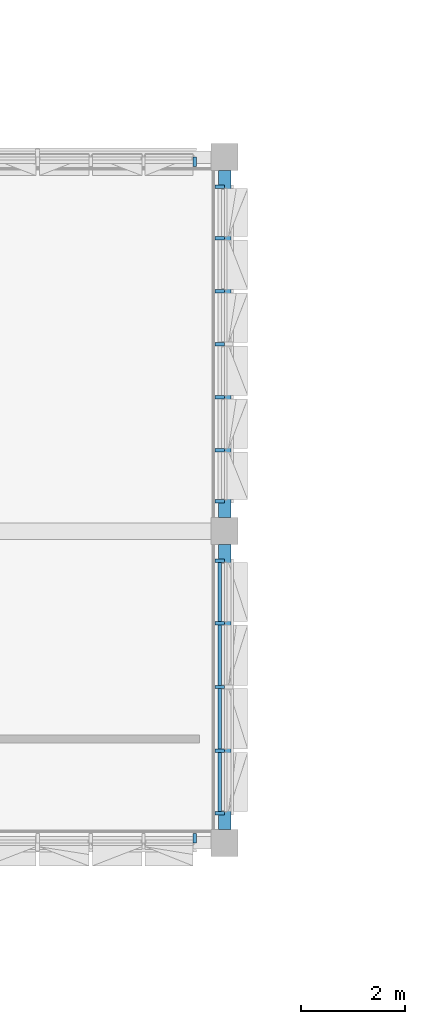
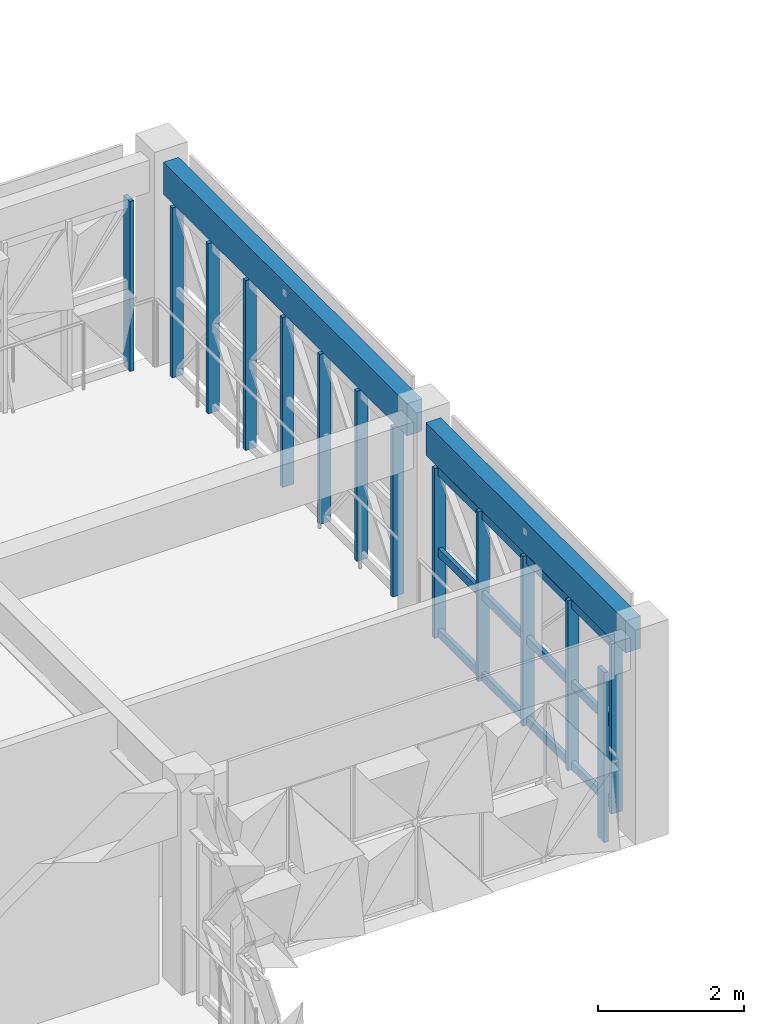
# One storey, part 14 of 99: 26 members, 2 beams, 4 elements without a shape of their own.
"""IFC4 building model written with IfcOpenShell, lengths in metres."""

from ifc_helpers import new_model, si_unit, direction, frame, origin, origin_2d, place, context, subcontext, project, spatial, rectangle, extrude, material, material_profile, profile_set, type_object, element, aggregate, save


model = new_model("IFC4")

# Units and contexts
model_context = context("Model", 3, precision=1e-05, world=origin(), true_north=direction((0.0, 1.0)))
body_context = subcontext(model_context, "Body", "Model", "MODEL_VIEW")
ifc_project = project(units=[si_unit("LENGTHUNIT", "METRE"), si_unit("AREAUNIT", "SQUARE_METRE"), si_unit("VOLUMEUNIT", "CUBIC_METRE"), si_unit("PLANEANGLEUNIT", "RADIAN"), si_unit("MASSUNIT", "GRAM", prefix="KILO")], contexts=[model_context])

# Site, building, storey
site_placement = place(None, origin())
site = spatial("IfcSite", under=ifc_project, at=site_placement, CompositionType="ELEMENT")
building_placement = place(site_placement, origin())
building = spatial("IfcBuilding", under=site, at=building_placement, Name="Alvorim Cloister Faculty of Sciences", CompositionType="ELEMENT")
storey_placement = place(building_placement, frame((0.0, 0.0, 12.14990234375)))
storey = spatial("IfcBuildingStorey", under=building, at=storey_placement, Name="L03", CompositionType="ELEMENT", Elevation=12.14990234375)

# Beams
ifc_material_1 = material(Name="Glulam GL28h", Category="wood")
ifc_material_profile_1 = material_profile(ifc_material_1, rectangle(XDim=0.239990234375, YDim=0.5400390625, at=origin_2d()), Name="GL28-SPD-240x540")
ifc_profile_set_1 = profile_set([ifc_material_profile_1], Name="Glulam GL28h")
beam_type = type_object("IfcBeamType", Name="BM-SPD-GL-240x540", PredefinedType="SPANDREL", material=ifc_profile_set_1)
beam_1_placement = place(storey_placement, frame((64.800048828125, 43.4599609375, 3.1201171875), z_axis=(0.0, 1.0, 0.0), x_axis=(-1.0, 0.0, 0.0)))
element("IfcBeam", 1, at=beam_1_placement, inside=storey, type_object=beam_type, Name="L03 Primary Girder BM-1652", PredefinedType="SPANDREL", context=body_context, shape_type="SweptSolid", body=[
    extrude(rectangle(XDim=0.239990234375, YDim=0.5400390625, at=origin_2d()), origin(), (0.0, 0.0, 1.0), 5.47998046875),
])
beam_2_placement = place(storey_placement, frame((64.800048828125, 49.4599609375, 3.1201171875), z_axis=(0.0, 1.0, 0.0), x_axis=(-1.0, 0.0, 0.0)))
element("IfcBeam", 2, at=beam_2_placement, inside=storey, type_object=beam_type, Name="L03 Primary Girder BM-1653", PredefinedType="SPANDREL", context=body_context, shape_type="SweptSolid", body=[
    extrude(rectangle(XDim=0.239990234375, YDim=0.5400390625, at=origin_2d()), origin(), (0.0, 0.0, 1.0), 6.679931640625),
])

# Curtain wall, member
ifc_material_2 = material(Name="Aluminium and Low-E Glass Curtain Wall", Category="aluminium")
curtain_wall_type_1 = type_object("IfcCurtainWallType", Name="CW-TRI-6120x2850", PredefinedType="USERDEFINED", material=ifc_material_2)
curtain_wall_1_placement = place(storey_placement, origin())
curtain_wall_1 = element("IfcCurtainWall", 3, at=curtain_wall_1_placement, inside=storey, type_object=curtain_wall_type_1, Name="L03 Diagonal Cassette Curtain Wall CW-0129", ObjectType="UNITISED CURTAIN WALL", PredefinedType="USERDEFINED")
ifc_material_3 = material(Name="Aluminium Alloy 6063-T6", Category="aluminium")
ifc_material_profile_2 = material_profile(ifc_material_3, rectangle(XDim=0.06494140625, YDim=0.179931640625, at=origin_2d()), Name="ALU-MUL-65x180")
ifc_profile_set_2 = profile_set([ifc_material_profile_2], Name="Aluminium Alloy 6063-T6")
member_type_1 = type_object("IfcMemberType", Name="CW-MUL-65x180", PredefinedType="MULLION", material=ifc_profile_set_2)
member_1_placement = place(storey_placement, frame((64.2275390625, 56.31005859375, 0.0), z_axis=(0.0, 0.0, 1.0), x_axis=(1.0, 0.0, 0.0)))
member_1 = element("IfcMember", 4, at=member_1_placement, type_object=member_type_1, Name="CW-0129 Mullion 7", PredefinedType="MULLION", context=body_context, shape_type="SweptSolid", body=[
    extrude(rectangle(XDim=0.06494140625, YDim=0.179931640625, at=origin_2d()), origin(), (0.0, 0.0, 1.0), 2.85009765625),
])
aggregate(curtain_wall_1, [member_1])

# Curtain wall, members
curtain_wall_2_placement = place(storey_placement, origin())
curtain_wall_2 = element("IfcCurtainWall", 5, at=curtain_wall_2_placement, inside=storey, type_object=curtain_wall_type_1, Name="L03 Diagonal Cassette Curtain Wall CW-0130", ObjectType="UNITISED CURTAIN WALL", PredefinedType="USERDEFINED")
member_2_placement = place(storey_placement, frame((64.7099609375, 49.7724609375, 0.0), z_axis=(0.0, 0.0, 1.0), x_axis=(0.0, 1.0, 0.0)))
member_2 = element("IfcMember", 6, at=member_2_placement, type_object=member_type_1, Name="CW-0130 Mullion 1", PredefinedType="MULLION", context=body_context, shape_type="SweptSolid", body=[
    extrude(rectangle(XDim=0.06494140625, YDim=0.179931640625, at=origin_2d()), origin(), (0.0, 0.0, 1.0), 2.85009765625),
])
member_3_placement = place(storey_placement, frame((64.7099609375, 50.760009765625, 0.0), z_axis=(0.0, 0.0, 1.0), x_axis=(0.0, 1.0, 0.0)))
member_3 = element("IfcMember", 7, at=member_3_placement, type_object=member_type_1, Name="CW-0130 Mullion 2", PredefinedType="MULLION", context=body_context, shape_type="SweptSolid", body=[
    extrude(rectangle(XDim=0.06494140625, YDim=0.179931640625, at=origin_2d()), origin(), (0.0, 0.0, 1.0), 2.85009765625),
])
member_4_placement = place(storey_placement, frame((64.7099609375, 51.780029296875, 0.0), z_axis=(0.0, 0.0, 1.0), x_axis=(0.0, 1.0, 0.0)))
member_4 = element("IfcMember", 8, at=member_4_placement, type_object=member_type_1, Name="CW-0130 Mullion 3", PredefinedType="MULLION", context=body_context, shape_type="SweptSolid", body=[
    extrude(rectangle(XDim=0.06494140625, YDim=0.179931640625, at=origin_2d()), origin(), (0.0, 0.0, 1.0), 2.85009765625),
])
member_5_placement = place(storey_placement, frame((64.7099609375, 52.800048828125, 0.0), z_axis=(0.0, 0.0, 1.0), x_axis=(0.0, 1.0, 0.0)))
member_5 = element("IfcMember", 9, at=member_5_placement, type_object=member_type_1, Name="CW-0130 Mullion 4", PredefinedType="MULLION", context=body_context, shape_type="SweptSolid", body=[
    extrude(rectangle(XDim=0.06494140625, YDim=0.179931640625, at=origin_2d()), origin(), (0.0, 0.0, 1.0), 2.85009765625),
])
member_6_placement = place(storey_placement, frame((64.7099609375, 53.820068359375, 0.0), z_axis=(0.0, 0.0, 1.0), x_axis=(0.0, 1.0, 0.0)))
member_6 = element("IfcMember", 10, at=member_6_placement, type_object=member_type_1, Name="CW-0130 Mullion 5", PredefinedType="MULLION", context=body_context, shape_type="SweptSolid", body=[
    extrude(rectangle(XDim=0.06494140625, YDim=0.179931640625, at=origin_2d()), origin(), (0.0, 0.0, 1.0), 2.85009765625),
])
member_7_placement = place(storey_placement, frame((64.7099609375, 54.840087890625, 0.0), z_axis=(0.0, 0.0, 1.0), x_axis=(0.0, 1.0, 0.0)))
member_7 = element("IfcMember", 11, at=member_7_placement, type_object=member_type_1, Name="CW-0130 Mullion 6", PredefinedType="MULLION", context=body_context, shape_type="SweptSolid", body=[
    extrude(rectangle(XDim=0.06494140625, YDim=0.179931640625, at=origin_2d()), origin(), (0.0, 0.0, 1.0), 2.85009765625),
])
member_8_placement = place(storey_placement, frame((64.7099609375, 55.827392578125, 0.0), z_axis=(0.0, 0.0, 1.0), x_axis=(0.0, 1.0, 0.0)))
member_8 = element("IfcMember", 12, at=member_8_placement, type_object=member_type_1, Name="CW-0130 Mullion 7", PredefinedType="MULLION", context=body_context, shape_type="SweptSolid", body=[
    extrude(rectangle(XDim=0.06494140625, YDim=0.179931640625, at=origin_2d()), origin(), (0.0, 0.0, 1.0), 2.85009765625),
])
aggregate(curtain_wall_2, [member_2, member_3, member_4, member_5, member_6, member_7, member_8])

curtain_wall_type_2 = type_object("IfcCurtainWallType", Name="CW-TRI-4920x2850", PredefinedType="USERDEFINED", material=ifc_material_2)
curtain_wall_3_placement = place(storey_placement, origin())
curtain_wall_3 = element("IfcCurtainWall", 13, at=curtain_wall_3_placement, inside=storey, type_object=curtain_wall_type_2, Name="L03 Diagonal Cassette Curtain Wall CW-0131", ObjectType="UNITISED CURTAIN WALL", PredefinedType="USERDEFINED")
member_9_placement = place(storey_placement, frame((64.7099609375, 43.7724609375, 0.0), z_axis=(0.0, 0.0, 1.0), x_axis=(0.0, 1.0, 0.0)))
member_9 = element("IfcMember", 14, at=member_9_placement, type_object=member_type_1, Name="CW-0131 Mullion 1", PredefinedType="MULLION", context=body_context, shape_type="SweptSolid", body=[
    extrude(rectangle(XDim=0.06494140625, YDim=0.179931640625, at=origin_2d()), origin(), (0.0, 0.0, 1.0), 2.85009765625),
])
member_10_placement = place(storey_placement, frame((64.7099609375, 44.969970703125, 0.0), z_axis=(0.0, 0.0, 1.0), x_axis=(0.0, 1.0, 0.0)))
member_10 = element("IfcMember", 15, at=member_10_placement, type_object=member_type_1, Name="CW-0131 Mullion 2", PredefinedType="MULLION", context=body_context, shape_type="SweptSolid", body=[
    extrude(rectangle(XDim=0.06494140625, YDim=0.179931640625, at=origin_2d()), origin(), (0.0, 0.0, 1.0), 2.85009765625),
])
member_11_placement = place(storey_placement, frame((64.7099609375, 46.199951171875, 0.0), z_axis=(0.0, 0.0, 1.0), x_axis=(0.0, 1.0, 0.0)))
member_11 = element("IfcMember", 16, at=member_11_placement, type_object=member_type_1, Name="CW-0131 Mullion 3", PredefinedType="MULLION", context=body_context, shape_type="SweptSolid", body=[
    extrude(rectangle(XDim=0.06494140625, YDim=0.179931640625, at=origin_2d()), origin(), (0.0, 0.0, 1.0), 2.85009765625),
])
member_12_placement = place(storey_placement, frame((64.7099609375, 47.429931640625, 0.0), z_axis=(0.0, 0.0, 1.0), x_axis=(0.0, 1.0, 0.0)))
member_12 = element("IfcMember", 17, at=member_12_placement, type_object=member_type_1, Name="CW-0131 Mullion 4", PredefinedType="MULLION", context=body_context, shape_type="SweptSolid", body=[
    extrude(rectangle(XDim=0.06494140625, YDim=0.179931640625, at=origin_2d()), origin(), (0.0, 0.0, 1.0), 2.85009765625),
])
member_13_placement = place(storey_placement, frame((64.7099609375, 48.62744140625, 0.0), z_axis=(0.0, 0.0, 1.0), x_axis=(0.0, 1.0, 0.0)))
member_13 = element("IfcMember", 18, at=member_13_placement, type_object=member_type_1, Name="CW-0131 Mullion 5", PredefinedType="MULLION", context=body_context, shape_type="SweptSolid", body=[
    extrude(rectangle(XDim=0.06494140625, YDim=0.179931640625, at=origin_2d()), origin(), (0.0, 0.0, 1.0), 2.85009765625),
])

# Curtain wall, member
curtain_wall_4_placement = place(storey_placement, origin())
curtain_wall_4 = element("IfcCurtainWall", 19, at=curtain_wall_4_placement, inside=storey, type_object=curtain_wall_type_1, Name="L03 Diagonal Cassette Curtain Wall CW-0132", ObjectType="UNITISED CURTAIN WALL", PredefinedType="USERDEFINED")
member_14_placement = place(storey_placement, frame((64.2275390625, 43.2900390625, 0.0), z_axis=(0.0, 0.0, 1.0), x_axis=(1.0, 0.0, 0.0)))
member_14 = element("IfcMember", 20, at=member_14_placement, type_object=member_type_1, Name="CW-0132 Mullion 7", PredefinedType="MULLION", context=body_context, shape_type="SweptSolid", body=[
    extrude(rectangle(XDim=0.06494140625, YDim=0.179931640625, at=origin_2d()), origin(), (0.0, 0.0, 1.0), 2.85009765625),
])
aggregate(curtain_wall_4, [member_14])

# Member
ifc_material_profile_3 = material_profile(ifc_material_3, rectangle(XDim=0.06494140625, YDim=0.139892578125, at=origin_2d()), Name="ALU-TRN-65x140")
ifc_profile_set_3 = profile_set([ifc_material_profile_3], Name="Aluminium Alloy 6063-T6")
member_type_2 = type_object("IfcMemberType", Name="CW-TRN-65x140", PredefinedType="USERDEFINED", material=ifc_profile_set_3)
member_15_placement = place(storey_placement, frame((64.7099609375, 43.804931640625, 0.070068359375), z_axis=(0.0, 1.0, 0.0), x_axis=(-1.0, 0.0, 0.0)))
member_15 = element("IfcMember", 21, at=member_15_placement, type_object=member_type_2, Name="CW-0131 Transom 1.1", ObjectType="TRANSOM", PredefinedType="USERDEFINED", context=body_context, shape_type="SweptSolid", body=[
    extrude(rectangle(XDim=0.06494140625, YDim=0.139892578125, at=origin_2d()), origin(), (0.0, 0.0, 1.0), 1.132568359375),
])

member_16_placement = place(storey_placement, frame((64.7099609375, 43.804931640625, 1.425048828125), z_axis=(0.0, 1.0, 0.0), x_axis=(-1.0, 0.0, 0.0)))
member_16 = element("IfcMember", 22, at=member_16_placement, type_object=member_type_2, Name="CW-0131 Transom 1.2", ObjectType="TRANSOM", PredefinedType="USERDEFINED", context=body_context, shape_type="SweptSolid", body=[
    extrude(rectangle(XDim=0.06494140625, YDim=0.139892578125, at=origin_2d()), origin(), (0.0, 0.0, 1.0), 1.132568359375),
])

member_17_placement = place(storey_placement, frame((64.7099609375, 43.804931640625, 2.780029296875), z_axis=(0.0, 1.0, 0.0), x_axis=(-1.0, 0.0, 0.0)))
member_17 = element("IfcMember", 23, at=member_17_placement, type_object=member_type_2, Name="CW-0131 Transom 1.3", ObjectType="TRANSOM", PredefinedType="USERDEFINED", context=body_context, shape_type="SweptSolid", body=[
    extrude(rectangle(XDim=0.06494140625, YDim=0.139892578125, at=origin_2d()), origin(), (0.0, 0.0, 1.0), 1.132568359375),
])

member_18_placement = place(storey_placement, frame((64.7099609375, 45.00244140625, 0.070068359375), z_axis=(0.0, 1.0, 0.0), x_axis=(-1.0, 0.0, 0.0)))
member_18 = element("IfcMember", 24, at=member_18_placement, type_object=member_type_2, Name="CW-0131 Transom 2.1", ObjectType="TRANSOM", PredefinedType="USERDEFINED", context=body_context, shape_type="SweptSolid", body=[
    extrude(rectangle(XDim=0.06494140625, YDim=0.139892578125, at=origin_2d()), origin(), (0.0, 0.0, 1.0), 1.1650390625),
])

member_19_placement = place(storey_placement, frame((64.7099609375, 45.00244140625, 1.425048828125), z_axis=(0.0, 1.0, 0.0), x_axis=(-1.0, 0.0, 0.0)))
member_19 = element("IfcMember", 25, at=member_19_placement, type_object=member_type_2, Name="CW-0131 Transom 2.2", ObjectType="TRANSOM", PredefinedType="USERDEFINED", context=body_context, shape_type="SweptSolid", body=[
    extrude(rectangle(XDim=0.06494140625, YDim=0.139892578125, at=origin_2d()), origin(), (0.0, 0.0, 1.0), 1.1650390625),
])

member_20_placement = place(storey_placement, frame((64.7099609375, 45.00244140625, 2.780029296875), z_axis=(0.0, 1.0, 0.0), x_axis=(-1.0, 0.0, 0.0)))
member_20 = element("IfcMember", 26, at=member_20_placement, type_object=member_type_2, Name="CW-0131 Transom 2.3", ObjectType="TRANSOM", PredefinedType="USERDEFINED", context=body_context, shape_type="SweptSolid", body=[
    extrude(rectangle(XDim=0.06494140625, YDim=0.139892578125, at=origin_2d()), origin(), (0.0, 0.0, 1.0), 1.1650390625),
])

member_21_placement = place(storey_placement, frame((64.7099609375, 46.232421875, 0.070068359375), z_axis=(0.0, 1.0, 0.0), x_axis=(-1.0, 0.0, 0.0)))
member_21 = element("IfcMember", 27, at=member_21_placement, type_object=member_type_2, Name="CW-0131 Transom 3.1", ObjectType="TRANSOM", PredefinedType="USERDEFINED", context=body_context, shape_type="SweptSolid", body=[
    extrude(rectangle(XDim=0.06494140625, YDim=0.139892578125, at=origin_2d()), origin(), (0.0, 0.0, 1.0), 1.1650390625),
])

member_22_placement = place(storey_placement, frame((64.7099609375, 46.232421875, 1.425048828125), z_axis=(0.0, 1.0, 0.0), x_axis=(-1.0, 0.0, 0.0)))
member_22 = element("IfcMember", 28, at=member_22_placement, type_object=member_type_2, Name="CW-0131 Transom 3.2", ObjectType="TRANSOM", PredefinedType="USERDEFINED", context=body_context, shape_type="SweptSolid", body=[
    extrude(rectangle(XDim=0.06494140625, YDim=0.139892578125, at=origin_2d()), origin(), (0.0, 0.0, 1.0), 1.1650390625),
])

member_23_placement = place(storey_placement, frame((64.7099609375, 46.232421875, 2.780029296875), z_axis=(0.0, 1.0, 0.0), x_axis=(-1.0, 0.0, 0.0)))
member_23 = element("IfcMember", 29, at=member_23_placement, type_object=member_type_2, Name="CW-0131 Transom 3.3", ObjectType="TRANSOM", PredefinedType="USERDEFINED", context=body_context, shape_type="SweptSolid", body=[
    extrude(rectangle(XDim=0.06494140625, YDim=0.139892578125, at=origin_2d()), origin(), (0.0, 0.0, 1.0), 1.1650390625),
])

member_24_placement = place(storey_placement, frame((64.7099609375, 47.46240234375, 0.070068359375), z_axis=(0.0, 1.0, 0.0), x_axis=(-1.0, 0.0, 0.0)))
member_24 = element("IfcMember", 30, at=member_24_placement, type_object=member_type_2, Name="CW-0131 Transom 4.1", ObjectType="TRANSOM", PredefinedType="USERDEFINED", context=body_context, shape_type="SweptSolid", body=[
    extrude(rectangle(XDim=0.06494140625, YDim=0.139892578125, at=origin_2d()), origin(), (0.0, 0.0, 1.0), 1.132568359375),
])

member_25_placement = place(storey_placement, frame((64.7099609375, 47.46240234375, 1.425048828125), z_axis=(0.0, 1.0, 0.0), x_axis=(-1.0, 0.0, 0.0)))
member_25 = element("IfcMember", 31, at=member_25_placement, type_object=member_type_2, Name="CW-0131 Transom 4.2", ObjectType="TRANSOM", PredefinedType="USERDEFINED", context=body_context, shape_type="SweptSolid", body=[
    extrude(rectangle(XDim=0.06494140625, YDim=0.139892578125, at=origin_2d()), origin(), (0.0, 0.0, 1.0), 1.132568359375),
])

member_26_placement = place(storey_placement, frame((64.7099609375, 47.46240234375, 2.780029296875), z_axis=(0.0, 1.0, 0.0), x_axis=(-1.0, 0.0, 0.0)))
member_26 = element("IfcMember", 32, at=member_26_placement, type_object=member_type_2, Name="CW-0131 Transom 4.3", ObjectType="TRANSOM", PredefinedType="USERDEFINED", context=body_context, shape_type="SweptSolid", body=[
    extrude(rectangle(XDim=0.06494140625, YDim=0.139892578125, at=origin_2d()), origin(), (0.0, 0.0, 1.0), 1.132568359375),
])

aggregate(curtain_wall_3, [member_9, member_10, member_11, member_12, member_13, member_15, member_16, member_17, member_18, member_19, member_20, member_21, member_22, member_23, member_24, member_25, member_26])

save(model, "model.ifc")
